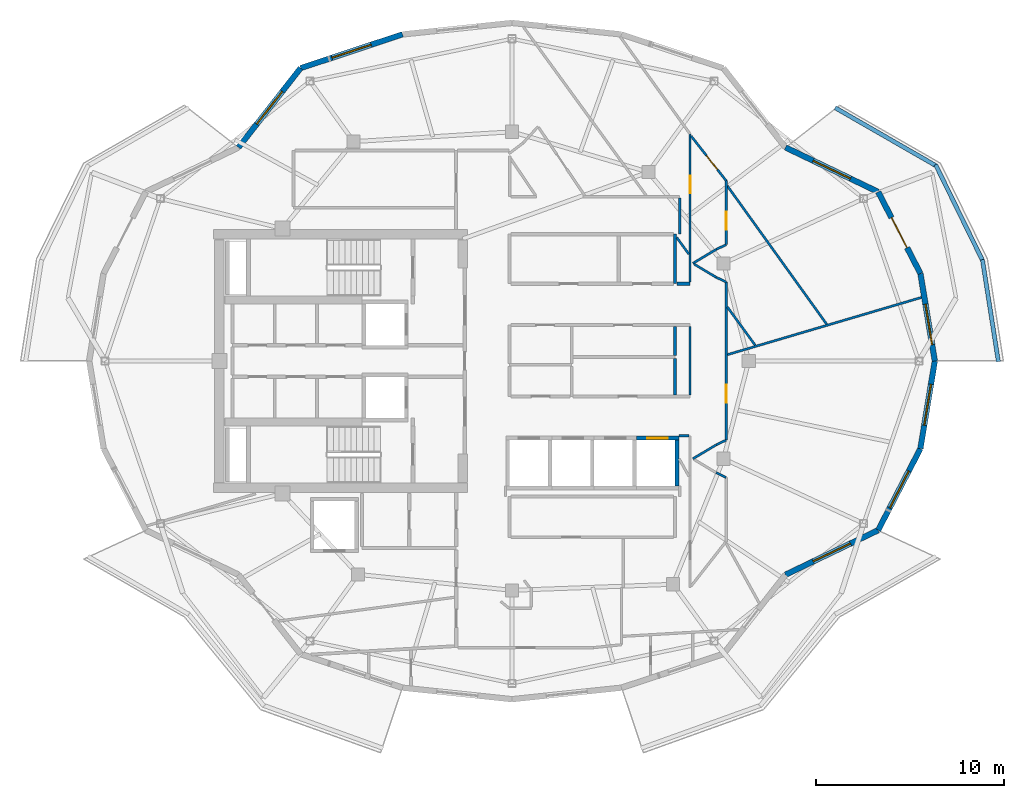
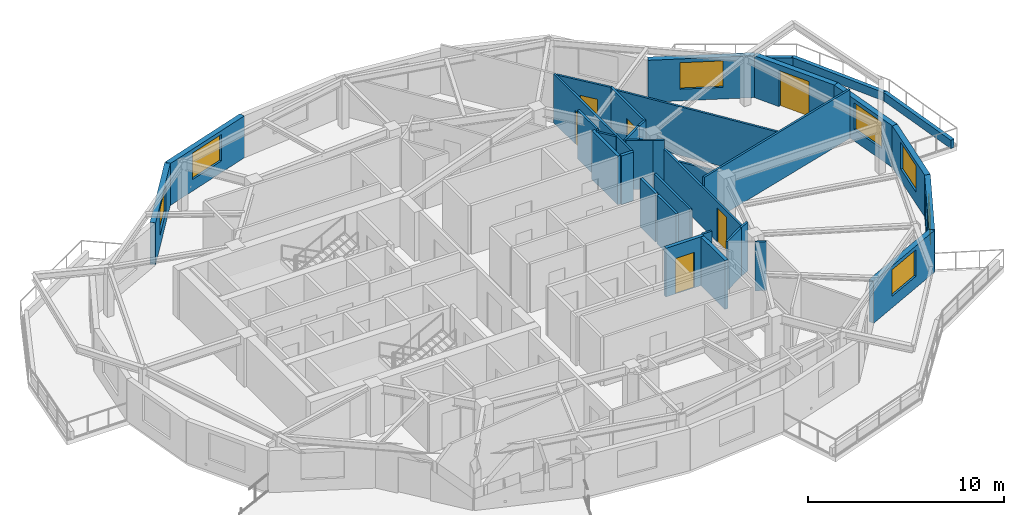
# One storey, part 7 of 11: 35 walls, 7 windows, 6 doors, 13 openings.
"""IFC4 building model written with IfcOpenShell, lengths in metres."""

from ifc_helpers import new_model, si_unit, direction, frame, frame_2d, origin, place, context, subcontext, project, spatial, rectangle, extrude, material, layer, layer_set, type_object, element, fill, save


model = new_model("IFC4")

# Units and contexts
model_context = context("Model", 3, precision=1e-05, world=origin(), true_north=direction((0.0, 1.0)))
body_context = subcontext(model_context, "Body", "Model", "MODEL_VIEW")
ifc_project = project(units=[si_unit("LENGTHUNIT", "METRE"), si_unit("AREAUNIT", "SQUARE_METRE"), si_unit("VOLUMEUNIT", "CUBIC_METRE"), si_unit("PLANEANGLEUNIT", "RADIAN"), si_unit("MASSUNIT", "GRAM", prefix="KILO")], contexts=[model_context])

# Site, building, storey
site_placement = place(None, origin())
site = spatial("IfcSite", under=ifc_project, at=site_placement, CompositionType="ELEMENT")
building_placement = place(site_placement, origin())
building = spatial("IfcBuilding", under=site, at=building_placement, Name="Kolvaren Gate Tower and Convention Centre", CompositionType="ELEMENT")
storey_placement = place(building_placement, frame((0.0, 0.0, 242.60009765625)))
storey = spatial("IfcBuildingStorey", under=building, at=storey_placement, Name="L65", CompositionType="ELEMENT", Elevation=242.60009765625)

# Walls
ifc_material_1 = material(Name="Autoclaved Aerated Masonry Blockwork Class 4 (4.0 MPa)", Category="masonry")
ifc_layer_1 = layer(ifc_material_1, 0.179931640625)
ifc_layer_set_1 = layer_set([ifc_layer_1], Name="Autoclaved Aerated Masonry Blockwork Class 4 (4.0 MPa)")
wall_type_1 = type_object("IfcWallType", Name="ARCH-WL-COMP-180", PredefinedType="SOLIDWALL", material=ifc_layer_set_1)
wall_1_placement = place(storey_placement, frame((38.800048828125, 31.1201171875, 0.0), z_axis=(0.0, 0.0, 1.0), x_axis=(0.0, 1.0, 0.0)))
element("IfcWall", 1, at=wall_1_placement, inside=storey, type_object=wall_type_1, Name="Interior Partition WL-L65-INT-027", PredefinedType="SOLIDWALL", context=body_context, shape_type="SweptSolid", body=[
    extrude(rectangle(XDim=2.6298828125, YDim=0.179931640625, at=frame_2d((1.31494140625, 0.0))), origin(), (0.0, 0.0, 1.0), 3.02978515625),
])
wall_2_placement = place(storey_placement, frame((38.89208984375, 31.1201171875, 0.0), z_axis=(0.0, 0.0, 1.0), x_axis=(1.0, 0.0, 0.0)))
element("IfcWall", 2, at=wall_2_placement, inside=storey, type_object=wall_type_1, Name="Interior Partition WL-L65-INT-028 (2)", PredefinedType="SOLIDWALL", context=body_context, shape_type="SweptSolid", body=[
    extrude(rectangle(XDim=0.7080078125, YDim=0.179931640625, at=frame_2d((0.35400390625, 0.0))), origin(), (0.0, 0.0, 1.0), 3.02978515625),
])
ifc_material_2 = material(Name="Fire-Rated Acoustic Gypsum Stud Partition", Category="gypsum")
ifc_layer_2 = layer(ifc_material_2, 0.1201171875)
ifc_layer_set_2 = layer_set([ifc_layer_2], Name="Fire-Rated Acoustic Gypsum Stud Partition")
wall_type_2 = type_object("IfcWallType", Name="ARCH-WL-PART-120", PredefinedType="PARTITIONING", material=ifc_layer_set_2)
wall_3_placement = place(storey_placement, frame((39.050048828125, 33.75, 0.0), z_axis=(0.0, 0.0, 1.0), x_axis=(0.0, 1.0, 0.0)))
element("IfcWall", 3, at=wall_3_placement, inside=storey, type_object=wall_type_2, Name="Interior Partition WL-L65-INT-042", PredefinedType="PARTITIONING", context=body_context, shape_type="SweptSolid", body=[
    extrude(rectangle(XDim=1.93798828125, YDim=0.1201171875, at=frame_2d((0.968994140625, 0.0))), origin(), (0.0, 0.0, 1.0), 3.02978515625),
])
wall_4_placement = place(storey_placement, frame((39.60009765625, 25.197021484375, 0.0), z_axis=(0.0, 0.0, 1.0), x_axis=(0.0, 1.0, 0.0)))
element("IfcWall", 4, at=wall_4_placement, inside=storey, type_object=wall_type_2, Name="Interior Partition WL-L65-INT-044", PredefinedType="PARTITIONING", context=body_context, shape_type="SweptSolid", body=[
    extrude(rectangle(XDim=3.64599609375, YDim=0.1201171875, at=frame_2d((1.822998046875, 0.0))), origin(), (0.0, 0.0, 1.0), 3.02978515625),
])

# Wall, opening, door
wall_5_placement = place(storey_placement, frame((39.60009765625, 31.2119140625, 0.0), z_axis=(0.0, 0.0, 1.0), x_axis=(0.0, 1.0, 0.0)))
wall_5 = element("IfcWall", 5, at=wall_5_placement, inside=storey, type_object=wall_type_2, Name="Interior Partition WL-L65-INT-045", PredefinedType="PARTITIONING", context=body_context, shape_type="SweptSolid", body=[
    extrude(rectangle(XDim=7.87109375, YDim=0.1201171875, at=frame_2d((3.935546875, 0.0))), origin(), (0.0, 0.0, 1.0), 3.02978515625),
])
opening_1_placement = place(wall_5_placement, frame((4.7060546875, 0.0, 0.0)))
opening_1 = element("IfcOpeningElement", 6, at=opening_1_placement, cuts=wall_5, Name="Opening DR-01", PredefinedType="OPENING", context=body_context, shape_type="SweptSolid", body=[
    extrude(rectangle(XDim=0.949951171875, YDim=2.10009765625, at=frame_2d((0.47509765625, 1.050048828125))), frame((0.0, 0.070068359375, 0.0), z_axis=(0.0, -1.0, 0.0), x_axis=(1.0, 0.0, 0.0)), (0.0, 0.0, 1.0), 0.14013671875),
])
ifc_material_3 = material(Name="Painted Architectural Steelwork ASTM A500 Grade C 345 MPa", Category="steel")
door_type_1 = type_object("IfcDoorType", Name="ARCH-DR-RISER-950", OperationType="SINGLE_SWING_RIGHT", PredefinedType="DOOR", material=ifc_material_3)
door_1_placement = place(opening_1_placement, origin())
door_1 = element("IfcDoor", 7, at=door_1_placement, inside=storey, type_object=door_type_1, Name="Resident Quiet Study Office Door", OperationType="SINGLE_SWING_RIGHT", OverallHeight=2.10009765625, OverallWidth=0.949951171875, PredefinedType="DOOR", context=body_context, shape_type="SweptSolid", body=[
    extrude(rectangle(XDim=0.949951171875, YDim=2.10009765625, at=frame_2d((0.47509765625, 1.050048828125))), frame((0.0, 0.02490234375, 0.0), z_axis=(0.0, -1.0, 0.0), x_axis=(1.0, 0.0, 0.0)), (0.0, 0.0, 1.0), 0.050048828125),
])
fill(opening_1, door_1)

wall_6_placement = place(storey_placement, frame((39.662109375, 38.96875, 0.0), z_axis=(0.0, 0.0, 1.0), x_axis=(0.616500468458, -0.787354540465, 0.0)))
wall_6 = element("IfcWall", 8, at=wall_6_placement, inside=storey, type_object=wall_type_2, Name="Interior Partition WL-L65-INT-046", PredefinedType="PARTITIONING", context=body_context, shape_type="SweptSolid", body=[
    extrude(rectangle(XDim=3.013671875, YDim=0.1201171875, at=frame_2d((1.5068359375, 0.0))), origin(), (0.0, 0.0, 1.0), 3.02978515625),
])
opening_2_placement = place(wall_6_placement, frame((1.311767578125, 0.0, 0.0)))
opening_2 = element("IfcOpeningElement", 9, at=opening_2_placement, cuts=wall_6, Name="Opening DR-01", PredefinedType="OPENING", context=body_context, shape_type="SweptSolid", body=[
    extrude(rectangle(XDim=0.949951171875, YDim=2.10009765625, at=frame_2d((0.47509765625, 1.050048828125))), frame((0.0, 0.070068359375, 0.0), z_axis=(0.0, -1.0, 0.0), x_axis=(1.0, 0.0, 0.0)), (0.0, 0.0, 1.0), 0.14013671875),
])
door_2_placement = place(opening_2_placement, origin())
door_2 = element("IfcDoor", 10, at=door_2_placement, inside=storey, type_object=door_type_1, Name="Resident Private Study Door", OperationType="SINGLE_SWING_LEFT", OverallHeight=2.10009765625, OverallWidth=0.949951171875, PredefinedType="DOOR", context=body_context, shape_type="SweptSolid", body=[
    extrude(rectangle(XDim=0.949951171875, YDim=2.10009765625, at=frame_2d((0.47509765625, 1.050048828125))), frame((0.0, 0.02490234375, 0.0), z_axis=(0.0, -1.0, 0.0), x_axis=(1.0, 0.0, 0.0)), (0.0, 0.0, 1.0), 0.050048828125),
])
fill(opening_2, door_2)

wall_7_placement = place(storey_placement, frame((41.52001953125, 22.7939453125, 0.0), z_axis=(0.0, 0.0, 1.0), x_axis=(0.0, 1.0, 0.0)))
wall_7 = element("IfcWall", 11, at=wall_7_placement, inside=storey, type_object=wall_type_2, Name="Interior Partition WL-L65-INT-048", PredefinedType="PARTITIONING", context=body_context, shape_type="SweptSolid", body=[
    extrude(rectangle(XDim=8.412109375, YDim=0.1201171875, at=frame_2d((4.2060546875, 0.0))), origin(), (0.0, 0.0, 1.0), 2.477783203125),
])
opening_3_placement = place(wall_7_placement, frame((1.99853515625, 0.0, 0.0)))
opening_3 = element("IfcOpeningElement", 12, at=opening_3_placement, cuts=wall_7, Name="Opening DR-01", PredefinedType="OPENING", context=body_context, shape_type="SweptSolid", body=[
    extrude(rectangle(XDim=0.949951171875, YDim=2.10009765625, at=frame_2d((0.47509765625, 1.050048828125))), frame((0.0, 0.070068359375, 0.0), z_axis=(0.0, -1.0, 0.0), x_axis=(1.0, 0.0, 0.0)), (0.0, 0.0, 1.0), 0.14013671875),
])
door_3_placement = place(opening_3_placement, origin())
door_3 = element("IfcDoor", 13, at=door_3_placement, inside=storey, type_object=door_type_1, Name="Resident Private Study and Home Office Door", OperationType="SINGLE_SWING_LEFT", OverallHeight=2.10009765625, OverallWidth=0.949951171875, PredefinedType="DOOR", context=body_context, shape_type="SweptSolid", body=[
    extrude(rectangle(XDim=0.949951171875, YDim=2.10009765625, at=frame_2d((0.47509765625, 1.050048828125))), frame((0.0, 0.02490234375, 0.0), z_axis=(0.0, -1.0, 0.0), x_axis=(1.0, 0.0, 0.0)), (0.0, 0.0, 1.0), 0.050048828125),
])
fill(opening_3, door_3)

wall_8_placement = place(storey_placement, frame((41.52001953125, 33.193115234375, 0.0), z_axis=(0.0, 0.0, 1.0), x_axis=(0.0, 1.0, 0.0)))
wall_8 = element("IfcWall", 14, at=wall_8_placement, inside=storey, type_object=wall_type_2, Name="Interior Partition WL-L65-INT-049", PredefinedType="PARTITIONING", context=body_context, shape_type="SweptSolid", body=[
    extrude(rectangle(XDim=3.40283203125, YDim=0.1201171875, at=frame_2d((1.701416015625, 0.0))), origin(), (0.0, 0.0, 1.0), 3.02978515625),
])
opening_4_placement = place(wall_8_placement, frame((0.806396484375, 0.0, 0.0)))
opening_4 = element("IfcOpeningElement", 15, at=opening_4_placement, cuts=wall_8, Name="Opening DR-01", PredefinedType="OPENING", context=body_context, shape_type="SweptSolid", body=[
    extrude(rectangle(XDim=0.949951171875, YDim=2.10009765625, at=frame_2d((0.47509765625, 1.050048828125))), frame((0.0, 0.070068359375, 0.0), z_axis=(0.0, -1.0, 0.0), x_axis=(1.0, 0.0, 0.0)), (0.0, 0.0, 1.0), 0.14013671875),
])
door_4_placement = place(opening_4_placement, origin())
door_4 = element("IfcDoor", 16, at=door_4_placement, inside=storey, type_object=door_type_1, Name="Resident Sommelier Tasting Pantry Door", OperationType="SINGLE_SWING_RIGHT", OverallHeight=2.10009765625, OverallWidth=0.949951171875, PredefinedType="DOOR", context=body_context, shape_type="SweptSolid", body=[
    extrude(rectangle(XDim=0.949951171875, YDim=2.10009765625, at=frame_2d((0.47509765625, 1.050048828125))), frame((0.0, 0.02490234375, 0.0), z_axis=(0.0, -1.0, 0.0), x_axis=(1.0, 0.0, 0.0)), (0.0, 0.0, 1.0), 0.050048828125),
])
fill(opening_4, door_4)

# Walls
wall_9_placement = place(storey_placement, frame((40.986083984375, 32.93994140625, 0.0), z_axis=(0.0, 0.0, 1.0), x_axis=(0.90356951601, 0.428441512621, 0.0)))
element("IfcWall", 17, at=wall_9_placement, inside=storey, type_object=wall_type_2, Name="Interior Partition WL-L65-INT-050", PredefinedType="PARTITIONING", context=body_context, shape_type="SweptSolid", body=[
    extrude(rectangle(XDim=0.5908203125, YDim=0.1201171875, at=frame_2d((0.29541015625, 0.0))), origin(), (0.0, 0.0, 1.0), 3.02978515625),
])
wall_10_placement = place(storey_placement, frame((39.75, 32.198974609375, 0.0), z_axis=(0.0, 0.0, 1.0), x_axis=(0.857702120906, 0.514146935996, 0.0)))
element("IfcWall", 18, at=wall_10_placement, inside=storey, type_object=wall_type_2, Name="Interior Partition WL-L65-INT-051", PredefinedType="PARTITIONING", context=body_context, shape_type="SweptSolid", body=[
    extrude(rectangle(XDim=1.441162109375, YDim=0.1201171875, at=frame_2d((0.720703125, 0.0))), origin(), (0.0, 0.0, 1.0), 3.02978515625),
])
wall_11_placement = place(storey_placement, frame((39.810302734375, 32.162841796875, 0.0), z_axis=(0.0, 0.0, 1.0), x_axis=(0.858011245414, -0.513630901273, 0.0)))
element("IfcWall", 19, at=wall_11_placement, inside=storey, type_object=wall_type_2, Name="Interior Partition WL-L65-INT-052", PredefinedType="PARTITIONING", context=body_context, shape_type="SweptSolid", body=[
    extrude(rectangle(XDim=1.370361328125, YDim=0.1201171875, at=frame_2d((0.68505859375, 0.0))), origin(), (0.0, 0.0, 1.0), 3.02978515625),
])
for number, where, z_axis, x_axis, name in (
    (20, (40.986083984375, 31.458984375, 0.0), (0.0, 0.0, 1.0), (0.903729424576, -0.428104107847, 0.0), "Interior Partition WL-L65-INT-053"),
    (21, (40.986083984375, 22.541015625, 0.0), (0.0, 0.0, 1.0), (0.903729424576, 0.428104107847, 0.0), "Interior Partition WL-L65-INT-054"),
):
    element("IfcWall", number, at=place(storey_placement, frame(where, z_axis=z_axis, x_axis=x_axis)), inside=storey, type_object=wall_type_2, Name=name, PredefinedType="PARTITIONING", context=body_context, shape_type="SweptSolid", body=[
        extrude(rectangle(XDim=0.5908203125, YDim=0.1201171875, at=frame_2d((0.29541015625, 0.0))), origin(), (0.0, 0.0, 1.0), 3.02978515625),
    ])
wall_12_placement = place(storey_placement, frame((39.75, 21.800048828125, 0.0), z_axis=(0.0, 0.0, 1.0), x_axis=(0.857702120906, 0.514146935996, 0.0)))
element("IfcWall", 22, at=wall_12_placement, inside=storey, type_object=wall_type_2, Name="Interior Partition WL-L65-INT-055", PredefinedType="PARTITIONING", context=body_context, shape_type="SweptSolid", body=[
    extrude(rectangle(XDim=1.441162109375, YDim=0.1201171875, at=frame_2d((0.720703125, 0.0))), origin(), (0.0, 0.0, 1.0), 3.02978515625),
])
wall_13_placement = place(storey_placement, frame((40.986083984375, 21.06005859375, 0.0), z_axis=(0.0, 0.0, 1.0), x_axis=(0.90356951601, -0.428441512621, 0.0)))
element("IfcWall", 23, at=wall_13_placement, inside=storey, type_object=wall_type_2, Name="Interior Partition WL-L65-INT-057", PredefinedType="PARTITIONING", context=body_context, shape_type="SweptSolid", body=[
    extrude(rectangle(XDim=0.5908203125, YDim=0.1201171875, at=frame_2d((0.29541015625, 0.0))), origin(), (0.0, 0.0, 1.0), 3.02978515625),
])
wall_14_placement = place(storey_placement, frame((39.0, 23.02001953125, 0.0), z_axis=(0.0, 0.0, 1.0), x_axis=(1.0, 0.0, 0.0)))
element("IfcWall", 24, at=wall_14_placement, inside=storey, type_object=wall_type_2, Name="Interior Partition WL-L65-INT-059", PredefinedType="PARTITIONING", context=body_context, shape_type="SweptSolid", body=[
    extrude(rectangle(XDim=0.5380859375, YDim=0.1201171875, at=frame_2d((0.26904296875, 0.0))), origin(), (0.0, 0.0, 1.0), 3.02978515625),
])
wall_15_placement = place(storey_placement, frame((41.58203125, 27.339111328125, 0.0), z_axis=(0.0, 0.0, 1.0), x_axis=(0.959173635638, 0.282817850741, 0.0)))
element("IfcWall", 25, at=wall_15_placement, inside=storey, type_object=wall_type_2, Name="Interior Partition WL-L65-INT-071", PredefinedType="PARTITIONING", context=body_context, shape_type="SweptSolid", body=[
    extrude(rectangle(XDim=10.771484375, YDim=0.1201171875, at=frame_2d((5.3857421875, 0.0))), origin(), (0.0, 0.0, 1.0), 3.02978515625),
])
wall_16_placement = place(storey_placement, frame((38.89208984375, 33.574951171875, 0.0), z_axis=(0.0, 0.0, 1.0), x_axis=(0.5886213307, -0.808408887287, 0.0)))
element("IfcWall", 26, at=wall_16_placement, inside=storey, type_object=wall_type_2, Name="Interior Partition WL-L65-INT-082", PredefinedType="PARTITIONING", context=body_context, shape_type="SweptSolid", body=[
    extrude(rectangle(XDim=1.097412109375, YDim=0.1201171875, at=frame_2d((0.548828125, 0.0))), origin(), (0.0, 0.0, 1.0), 3.02978515625),
])
wall_17_placement = place(storey_placement, frame((41.58203125, 29.880859375, 0.0), z_axis=(0.0, 0.0, 1.0), x_axis=(0.588620460465, -0.808409520925, 0.0)))
element("IfcWall", 27, at=wall_17_placement, inside=storey, type_object=wall_type_2, Name="Interior Partition WL-L65-INT-083", PredefinedType="PARTITIONING", context=body_context, shape_type="SweptSolid", body=[
    extrude(rectangle(XDim=2.522705078125, YDim=0.1201171875, at=frame_2d((1.26123046875, 0.0))), origin(), (0.0, 0.0, 1.0), 2.477783203125),
])
wall_18_placement = place(storey_placement, frame((41.58203125, 36.32373046875, 0.0), z_axis=(0.0, 0.0, 1.0), x_axis=(0.583386800507, -0.812194460086, 0.0)))
element("IfcWall", 28, at=wall_18_placement, inside=storey, type_object=wall_type_2, Name="Interior Partition WL-L65-INT-085", PredefinedType="PARTITIONING", context=body_context, shape_type="SweptSolid", body=[
    extrude(rectangle(XDim=9.063232421875, YDim=0.1201171875, at=frame_2d((4.53173828125, 0.0))), origin(), (0.0, 0.0, 1.0), 3.02978515625),
])
ifc_material_4 = material(Name="Piedmont Cream Honed Limestone Cladding", Category="masonry")
ifc_layer_3 = layer(ifc_material_4, 0.219970703125)
ifc_layer_set_3 = layer_set([ifc_layer_3], Name="Piedmont Cream Honed Limestone Cladding")
wall_type_3 = type_object("IfcWallType", Name="ARCH-WL-PLANTER-220", PredefinedType="PARAPET", material=ifc_layer_set_3)
wall_19_placement = place(storey_placement, frame((55.158447265625, 32.396484375, 0.0), z_axis=(0.0, 0.0, 1.0), x_axis=(0.154441975483, -0.988001860428, 0.0)))
element("IfcWall", 29, at=wall_19_placement, inside=storey, type_object=wall_type_3, Name="Vertical-Forest Balcony Stone Planter Kerb PK-L65-1.1", PredefinedType="PARAPET", context=body_context, shape_type="SweptSolid", body=[
    extrude(rectangle(XDim=5.49169921875, YDim=0.219970703125, at=frame_2d((2.745849609375, 0.0))), origin(), (0.0, 0.0, 1.0), 0.52001953125),
])
wall_20_placement = place(storey_placement, frame((52.66748046875, 37.446533203125, 0.0), z_axis=(0.0, 0.0, 1.0), x_axis=(0.440058847499, -0.897968936399, 0.0)))
element("IfcWall", 30, at=wall_20_placement, inside=storey, type_object=wall_type_3, Name="Vertical-Forest Balcony Stone Planter Kerb PK-L65-1.2", PredefinedType="PARAPET", context=body_context, shape_type="SweptSolid", body=[
    extrude(rectangle(XDim=5.689453125, YDim=0.219970703125, at=frame_2d((2.8447265625, 0.0))), origin(), (0.0, 0.0, 1.0), 0.52001953125),
])
wall_21_placement = place(storey_placement, frame((47.3212890625, 40.4794921875, 0.0), z_axis=(0.0, 0.0, 1.0), x_axis=(0.866901621005, -0.49847926687, 0.0)))
element("IfcWall", 31, at=wall_21_placement, inside=storey, type_object=wall_type_3, Name="Vertical-Forest Balcony Stone Planter Kerb PK-L65-1.3", PredefinedType="PARAPET", context=body_context, shape_type="SweptSolid", body=[
    extrude(rectangle(XDim=6.196533203125, YDim=0.219970703125, at=frame_2d((3.09814453125, 0.0))), origin(), (0.0, 0.0, 1.0), 0.52001953125),
])

# Wall, opening, door
ifc_layer_4 = layer(ifc_material_1, 0.199951171875)
ifc_layer_set_4 = layer_set([ifc_layer_4], Name="Autoclaved Aerated Masonry Blockwork Class 4 (4.0 MPa)")
wall_type_4 = type_object("IfcWallType", Name="ARCH-WL-SHAFT-200", PredefinedType="SOLIDWALL", material=ifc_layer_set_4)
wall_22_placement = place(storey_placement, frame((36.75, 22.89990234375, 0.0), z_axis=(0.0, 0.0, 1.0), x_axis=(1.0, 0.0, 0.0)))
wall_22 = element("IfcWall", 32, at=wall_22_placement, inside=storey, type_object=wall_type_4, Name="Elevator PL-12 L65 Fire Shaft Wall N", PredefinedType="SOLIDWALL", context=body_context, shape_type="SweptSolid", body=[
    extrude(rectangle(XDim=2.25, YDim=0.199951171875, at=frame_2d((1.125, 0.0))), origin(), (0.0, 0.0, 1.0), 3.02978515625),
])
opening_5_placement = place(wall_22_placement, frame((0.574951171875, 0.0, 0.0)))
opening_5 = element("IfcOpeningElement", 33, at=opening_5_placement, cuts=wall_22, Name="Opening LD", PredefinedType="OPENING", context=body_context, shape_type="SweptSolid", body=[
    extrude(rectangle(XDim=1.10009765625, YDim=2.199951171875, at=frame_2d((0.550048828125, 1.10009765625))), frame((0.0, 0.10986328125, 0.0), z_axis=(0.0, -1.0, 0.0), x_axis=(1.0, 0.0, 0.0)), (0.0, 0.0, 1.0), 0.219970703125),
])
ifc_material_5 = material(Name="Brushed Stainless Steel Grade 316L", Category="steel")
door_type_2 = type_object("IfcDoorType", Name="ARCH-DR-LIFT-1100", OperationType="SLIDING_TO_LEFT", PredefinedType="DOOR", material=ifc_material_5)
door_5_placement = place(opening_5_placement, origin())
door_5 = element("IfcDoor", 34, at=door_5_placement, inside=storey, type_object=door_type_2, Name="Elevator PL-12 L65 Sliding Landing Door", OperationType="SLIDING_TO_LEFT", OverallHeight=2.199951171875, OverallWidth=1.10009765625, PredefinedType="DOOR", context=body_context, shape_type="SweptSolid", body=[
    extrude(rectangle(XDim=1.10009765625, YDim=2.199951171875, at=frame_2d((0.550048828125, 1.10009765625))), frame((0.0, 0.02490234375, 0.0), z_axis=(0.0, -1.0, 0.0), x_axis=(1.0, 0.0, 0.0)), (0.0, 0.0, 1.0), 0.050048828125),
])
fill(opening_5, door_5)

# Wall
wall_23_placement = place(storey_placement, frame((38.89990234375, 20.360107421875, 0.0), z_axis=(0.0, 0.0, 1.0), x_axis=(0.0, 1.0, 0.0)))
element("IfcWall", 35, at=wall_23_placement, inside=storey, type_object=wall_type_4, Name="Elevator PL-12 L65 Fire Shaft Wall E", PredefinedType="SOLIDWALL", context=body_context, shape_type="SweptSolid", body=[
    extrude(rectangle(XDim=2.429931640625, YDim=0.199951171875, at=frame_2d((1.21484375, 0.0))), origin(), (0.0, 0.0, 1.0), 3.02978515625),
])

# Wall, opening, window
ifc_layer_5 = layer(ifc_material_4, 0.300048828125)
ifc_layer_set_5 = layer_set([ifc_layer_5], Name="Piedmont Cream Honed Limestone Cladding")
wall_type_5 = type_object("IfcWallType", Name="ARCH-WL-STONE-300", PredefinedType="SOLIDWALL", material=ifc_layer_set_5)
wall_24_placement = place(storey_placement, frame((51.8583984375, 31.65869140625, 0.0), z_axis=(0.0, 0.0, 1.0), x_axis=(0.162369371657, -0.986730047758, 0.0)))
wall_24 = element("IfcWall", 36, at=wall_24_placement, inside=storey, type_object=wall_type_5, Name="Tower L65 Honed Stone Spandrel Wall EW-00", PredefinedType="SOLIDWALL", context=body_context, shape_type="SweptSolid", body=[
    extrude(rectangle(XDim=4.721435546875, YDim=0.300048828125, at=frame_2d((2.36083984375, 0.0))), origin(), (0.0, 0.0, 1.0), 2.60498046875),
])
opening_6_placement = place(wall_24_placement, frame((1.64990234375, 0.0, 0.719970703125)))
opening_6 = element("IfcOpeningElement", 37, at=opening_6_placement, cuts=wall_24, Name="Opening W-03", PredefinedType="OPENING", context=body_context, shape_type="SweptSolid", body=[
    extrude(rectangle(XDim=2.199951171875, YDim=1.64990234375, at=frame_2d((1.10009765625, 0.824951171875))), frame((0.0, 0.159912109375, 0.0), z_axis=(0.0, -1.0, 0.0), x_axis=(1.0, 0.0, 0.0)), (0.0, 0.0, 1.0), 0.320068359375),
])
ifc_material_6 = material(Name="Low-E Triple Insulated Glazing Unit 44 mm", Category="glass")
window_type = type_object("IfcWindowType", Name="ARCH-WN-RES-2200", PartitioningType="SINGLE_PANEL", PredefinedType="WINDOW", material=ifc_material_6)
window_1_placement = place(opening_6_placement, origin())
window_1 = element("IfcWindow", 38, at=window_1_placement, inside=storey, type_object=window_type, Name="Tower L65 Punched Stone Facade Window W-00", OverallHeight=1.64990234375, OverallWidth=2.199951171875, PartitioningType="SINGLE_PANEL", PredefinedType="WINDOW", context=body_context, shape_type="SweptSolid", body=[
    extrude(rectangle(XDim=2.199951171875, YDim=1.64990234375, at=frame_2d((1.10009765625, 0.824951171875))), frame((0.0, 0.030029296875, 0.0), z_axis=(0.0, -1.0, 0.0), x_axis=(1.0, 0.0, 0.0)), (0.0, 0.0, 1.0), 0.06005859375),
])
fill(opening_6, window_1)

# Wall, opening, door
wall_25_placement = place(storey_placement, frame((49.610595703125, 36.0, 0.0), z_axis=(0.0, 0.0, 1.0), x_axis=(0.459793771602, -0.888025724625, 0.0)))
wall_25 = element("IfcWall", 39, at=wall_25_placement, inside=storey, type_object=wall_type_5, Name="Tower L65 Honed Stone Spandrel Wall EW-01", PredefinedType="SOLIDWALL", context=body_context, shape_type="SweptSolid", body=[
    extrude(rectangle(XDim=4.888671875, YDim=0.300048828125, at=frame_2d((2.4443359375, 0.0))), origin(), (0.0, 0.0, 1.0), 2.60498046875),
])
opening_7_placement = place(wall_25_placement, frame((1.5439453125, 0.0, 0.0)))
opening_7 = element("IfcOpeningElement", 40, at=opening_7_placement, cuts=wall_25, Name="Opening DB-01", PredefinedType="OPENING", context=body_context, shape_type="SweptSolid", body=[
    extrude(rectangle(XDim=1.800048828125, YDim=2.25, at=frame_2d((0.89990234375, 1.125))), frame((0.0, 0.159912109375, 0.0), z_axis=(0.0, -1.0, 0.0), x_axis=(1.0, 0.0, 0.0)), (0.0, 0.0, 1.0), 0.320068359375),
])
ifc_material_7 = material(Name="Anodized Architectural Aluminium Alloy 6063-T6", Category="aluminium")
door_type_3 = type_object("IfcDoorType", Name="ARCH-DR-BALC-1800", OperationType="SLIDING_TO_LEFT", PredefinedType="DOOR", material=ifc_material_7)
door_6_placement = place(opening_7_placement, origin())
door_6 = element("IfcDoor", 41, at=door_6_placement, inside=storey, type_object=door_type_3, Name="Planted Sky Terrace Access Door DB-L65-01", OperationType="SLIDING_TO_LEFT", OverallHeight=2.25, OverallWidth=1.800048828125, PredefinedType="DOOR", context=body_context, shape_type="SweptSolid", body=[
    extrude(rectangle(XDim=1.800048828125, YDim=2.25, at=frame_2d((0.89990234375, 1.125))), frame((0.0, 0.02490234375, 0.0), z_axis=(0.0, -1.0, 0.0), x_axis=(1.0, 0.0, 0.0)), (0.0, 0.0, 1.0), 0.050048828125),
])
fill(opening_7, door_6)

# Wall, opening, window
wall_26_placement = place(storey_placement, frame((44.67724609375, 38.370361328125, 0.0), z_axis=(0.0, 0.0, 1.0), x_axis=(0.901355238351, -0.433080517106, 0.0)))
wall_26 = element("IfcWall", 42, at=wall_26_placement, inside=storey, type_object=wall_type_5, Name="Tower L65 Honed Stone Spandrel Wall EW-02", PredefinedType="SOLIDWALL", context=body_context, shape_type="SweptSolid", body=[
    extrude(rectangle(XDim=5.47314453125, YDim=0.300048828125, at=frame_2d((2.736572265625, 0.0))), origin(), (0.0, 0.0, 1.0), 2.60498046875),
])
opening_8_placement = place(wall_26_placement, frame((1.636962890625, 0.0, 0.719970703125)))
opening_8 = element("IfcOpeningElement", 43, at=opening_8_placement, cuts=wall_26, Name="Opening W-03", PredefinedType="OPENING", context=body_context, shape_type="SweptSolid", body=[
    extrude(rectangle(XDim=2.199951171875, YDim=1.64990234375, at=frame_2d((1.10009765625, 0.824951171875))), frame((0.0, 0.159912109375, 0.0), z_axis=(0.0, -1.0, 0.0), x_axis=(1.0, 0.0, 0.0)), (0.0, 0.0, 1.0), 0.320068359375),
])
window_2_placement = place(opening_8_placement, origin())
window_2 = element("IfcWindow", 44, at=window_2_placement, inside=storey, type_object=window_type, Name="Tower L65 Punched Stone Facade Window W-02", OverallHeight=1.64990234375, OverallWidth=2.199951171875, PartitioningType="SINGLE_PANEL", PredefinedType="WINDOW", context=body_context, shape_type="SweptSolid", body=[
    extrude(rectangle(XDim=2.199951171875, YDim=1.64990234375, at=frame_2d((1.10009765625, 0.824951171875))), frame((0.0, 0.030029296875, 0.0), z_axis=(0.0, -1.0, 0.0), x_axis=(1.0, 0.0, 0.0)), (0.0, 0.0, 1.0), 0.06005859375),
])
fill(opening_8, window_2)

wall_27_placement = place(storey_placement, frame((18.875, 42.58837890625, 0.0), z_axis=(0.0, 0.0, 1.0), x_axis=(0.949232769585, 0.314574552605, 0.0)))
wall_27 = element("IfcWall", 45, at=wall_27_placement, inside=storey, type_object=wall_type_5, Name="Tower L65 Honed Stone Spandrel Wall EW-07", PredefinedType="SOLIDWALL", context=body_context, shape_type="SweptSolid", body=[
    extrude(rectangle(XDim=5.716796875, YDim=0.300048828125, at=frame_2d((2.8583984375, 0.0))), origin(), (0.0, 0.0, 1.0), 2.60498046875),
])
opening_9_placement = place(wall_27_placement, frame((1.758056640625, 0.0, 0.719970703125)))
opening_9 = element("IfcOpeningElement", 46, at=opening_9_placement, cuts=wall_27, Name="Opening W-03", PredefinedType="OPENING", context=body_context, shape_type="SweptSolid", body=[
    extrude(rectangle(XDim=2.199951171875, YDim=1.64990234375, at=frame_2d((1.10009765625, 0.824951171875))), frame((0.0, 0.159912109375, 0.0), z_axis=(0.0, -1.0, 0.0), x_axis=(1.0, 0.0, 0.0)), (0.0, 0.0, 1.0), 0.320068359375),
])
window_3_placement = place(opening_9_placement, origin())
window_3 = element("IfcWindow", 47, at=window_3_placement, inside=storey, type_object=window_type, Name="Tower L65 Punched Stone Facade Window W-07", OverallHeight=1.64990234375, OverallWidth=2.199951171875, PartitioningType="SINGLE_PANEL", PredefinedType="WINDOW", context=body_context, shape_type="SweptSolid", body=[
    extrude(rectangle(XDim=2.199951171875, YDim=1.64990234375, at=frame_2d((1.10009765625, 0.824951171875))), frame((0.0, 0.030029296875, 0.0), z_axis=(0.0, -1.0, 0.0), x_axis=(1.0, 0.0, 0.0)), (0.0, 0.0, 1.0), 0.06005859375),
])
fill(opening_9, window_3)

wall_28_placement = place(storey_placement, frame((15.57275390625, 38.370361328125, 0.0), z_axis=(0.0, 0.0, 1.0), x_axis=(0.61644588519, 0.787397276241, 0.0)))
wall_28 = element("IfcWall", 48, at=wall_28_placement, inside=storey, type_object=wall_type_5, Name="Tower L65 Honed Stone Spandrel Wall EW-08", PredefinedType="SOLIDWALL", context=body_context, shape_type="SweptSolid", body=[
    extrude(rectangle(XDim=5.35693359375, YDim=0.300048828125, at=frame_2d((2.678466796875, 0.0))), origin(), (0.0, 0.0, 1.0), 2.60498046875),
])
opening_10_placement = place(wall_28_placement, frame((1.5791015625, 0.0, 0.719970703125)))
opening_10 = element("IfcOpeningElement", 49, at=opening_10_placement, cuts=wall_28, Name="Opening W-03", PredefinedType="OPENING", context=body_context, shape_type="SweptSolid", body=[
    extrude(rectangle(XDim=2.199951171875, YDim=1.64990234375, at=frame_2d((1.10009765625, 0.824951171875))), frame((0.0, 0.159912109375, 0.0), z_axis=(0.0, -1.0, 0.0), x_axis=(1.0, 0.0, 0.0)), (0.0, 0.0, 1.0), 0.320068359375),
])
window_4_placement = place(opening_10_placement, origin())
window_4 = element("IfcWindow", 50, at=window_4_placement, inside=storey, type_object=window_type, Name="Tower L65 Punched Stone Facade Window W-08", OverallHeight=1.64990234375, OverallWidth=2.199951171875, PartitioningType="SINGLE_PANEL", PredefinedType="WINDOW", context=body_context, shape_type="SweptSolid", body=[
    extrude(rectangle(XDim=2.199951171875, YDim=1.64990234375, at=frame_2d((1.10009765625, 0.824951171875))), frame((0.0, 0.030029296875, 0.0), z_axis=(0.0, -1.0, 0.0), x_axis=(1.0, 0.0, 0.0)), (0.0, 0.0, 1.0), 0.06005859375),
])
fill(opening_10, window_4)

wall_29_placement = place(storey_placement, frame((44.67724609375, 15.629638671875, 0.0), z_axis=(0.0, 0.0, 1.0), x_axis=(0.901355238351, 0.433080517106, 0.0)))
wall_29 = element("IfcWall", 51, at=wall_29_placement, inside=storey, type_object=wall_type_5, Name="Tower L65 Honed Stone Spandrel Wall EW-21", PredefinedType="SOLIDWALL", context=body_context, shape_type="SweptSolid", body=[
    extrude(rectangle(XDim=5.47314453125, YDim=0.300048828125, at=frame_2d((2.736572265625, 0.0))), origin(), (0.0, 0.0, 1.0), 2.60498046875),
])
opening_11_placement = place(wall_29_placement, frame((1.636962890625, 0.0, 0.719970703125)))
opening_11 = element("IfcOpeningElement", 52, at=opening_11_placement, cuts=wall_29, Name="Opening W-03", PredefinedType="OPENING", context=body_context, shape_type="SweptSolid", body=[
    extrude(rectangle(XDim=2.199951171875, YDim=1.64990234375, at=frame_2d((1.10009765625, 0.824951171875))), frame((0.0, 0.159912109375, 0.0), z_axis=(0.0, -1.0, 0.0), x_axis=(1.0, 0.0, 0.0)), (0.0, 0.0, 1.0), 0.320068359375),
])
window_5_placement = place(opening_11_placement, origin())
window_5 = element("IfcWindow", 53, at=window_5_placement, inside=storey, type_object=window_type, Name="Tower L65 Punched Stone Facade Window W-21", OverallHeight=1.64990234375, OverallWidth=2.199951171875, PartitioningType="SINGLE_PANEL", PredefinedType="WINDOW", context=body_context, shape_type="SweptSolid", body=[
    extrude(rectangle(XDim=2.199951171875, YDim=1.64990234375, at=frame_2d((1.10009765625, 0.824951171875))), frame((0.0, 0.030029296875, 0.0), z_axis=(0.0, -1.0, 0.0), x_axis=(1.0, 0.0, 0.0)), (0.0, 0.0, 1.0), 0.06005859375),
])
fill(opening_11, window_5)

wall_30_placement = place(storey_placement, frame((49.610595703125, 18.0, 0.0), z_axis=(0.0, 0.0, 1.0), x_axis=(0.459793771602, 0.888025724625, 0.0)))
wall_30 = element("IfcWall", 54, at=wall_30_placement, inside=storey, type_object=wall_type_5, Name="Tower L65 Honed Stone Spandrel Wall EW-22", PredefinedType="SOLIDWALL", context=body_context, shape_type="SweptSolid", body=[
    extrude(rectangle(XDim=4.888671875, YDim=0.300048828125, at=frame_2d((2.4443359375, 0.0))), origin(), (0.0, 0.0, 1.0), 2.60498046875),
])
opening_12_placement = place(wall_30_placement, frame((1.343994140625, 0.0, 0.719970703125)))
opening_12 = element("IfcOpeningElement", 55, at=opening_12_placement, cuts=wall_30, Name="Opening W-03", PredefinedType="OPENING", context=body_context, shape_type="SweptSolid", body=[
    extrude(rectangle(XDim=2.199951171875, YDim=1.64990234375, at=frame_2d((1.10009765625, 0.824951171875))), frame((0.0, 0.159912109375, 0.0), z_axis=(0.0, -1.0, 0.0), x_axis=(1.0, 0.0, 0.0)), (0.0, 0.0, 1.0), 0.320068359375),
])
window_6_placement = place(opening_12_placement, origin())
window_6 = element("IfcWindow", 56, at=window_6_placement, inside=storey, type_object=window_type, Name="Tower L65 Punched Stone Facade Window W-22", OverallHeight=1.64990234375, OverallWidth=2.199951171875, PartitioningType="SINGLE_PANEL", PredefinedType="WINDOW", context=body_context, shape_type="SweptSolid", body=[
    extrude(rectangle(XDim=2.199951171875, YDim=1.64990234375, at=frame_2d((1.10009765625, 0.824951171875))), frame((0.0, 0.030029296875, 0.0), z_axis=(0.0, -1.0, 0.0), x_axis=(1.0, 0.0, 0.0)), (0.0, 0.0, 1.0), 0.06005859375),
])
fill(opening_12, window_6)

wall_31_placement = place(storey_placement, frame((51.8583984375, 22.34130859375, 0.0), z_axis=(0.0, 0.0, 1.0), x_axis=(0.162369371657, 0.986730047758, 0.0)))
wall_31 = element("IfcWall", 57, at=wall_31_placement, inside=storey, type_object=wall_type_5, Name="Tower L65 Honed Stone Spandrel Wall EW-23", PredefinedType="SOLIDWALL", context=body_context, shape_type="SweptSolid", body=[
    extrude(rectangle(XDim=4.721435546875, YDim=0.300048828125, at=frame_2d((2.36083984375, 0.0))), origin(), (0.0, 0.0, 1.0), 2.60498046875),
])
opening_13_placement = place(wall_31_placement, frame((1.260986328125, 0.0, 0.719970703125)))
opening_13 = element("IfcOpeningElement", 58, at=opening_13_placement, cuts=wall_31, Name="Opening W-03", PredefinedType="OPENING", context=body_context, shape_type="SweptSolid", body=[
    extrude(rectangle(XDim=2.199951171875, YDim=1.64990234375, at=frame_2d((1.10009765625, 0.824951171875))), frame((0.0, 0.159912109375, 0.0), z_axis=(0.0, -1.0, 0.0), x_axis=(1.0, 0.0, 0.0)), (0.0, 0.0, 1.0), 0.320068359375),
])
window_7_placement = place(opening_13_placement, origin())
window_7 = element("IfcWindow", 59, at=window_7_placement, inside=storey, type_object=window_type, Name="Tower L65 Punched Stone Facade Window W-23", OverallHeight=1.64990234375, OverallWidth=2.199951171875, PartitioningType="SINGLE_PANEL", PredefinedType="WINDOW", context=body_context, shape_type="SweptSolid", body=[
    extrude(rectangle(XDim=2.199951171875, YDim=1.64990234375, at=frame_2d((1.10009765625, 0.824951171875))), frame((0.0, 0.030029296875, 0.0), z_axis=(0.0, -1.0, 0.0), x_axis=(1.0, 0.0, 0.0)), (0.0, 0.0, 1.0), 0.06005859375),
])
fill(opening_13, window_7)

# Walls
ifc_material_8 = material(Name="Moisture-Resistant Cement-Board Acoustic Partition", Category="gypsum")
ifc_layer_6 = layer(ifc_material_8, 0.14990234375)
ifc_layer_set_6 = layer_set([ifc_layer_6], Name="Moisture-Resistant Cement-Board Acoustic Partition")
wall_type_6 = type_object("IfcWallType", Name="ARCH-WL-WET-150", PredefinedType="PARTITIONING", material=ifc_layer_set_6)
wall_32_placement = place(storey_placement, frame((38.800048828125, 25.197021484375, 0.0), z_axis=(0.0, 0.0, 1.0), x_axis=(0.0, 1.0, 0.0)))
element("IfcWall", 60, at=wall_32_placement, inside=storey, type_object=wall_type_6, Name="Interior Partition WL-L65-INT-026", PredefinedType="PARTITIONING", context=body_context, shape_type="SweptSolid", body=[
    extrude(rectangle(XDim=1.946044921875, YDim=0.14990234375, at=frame_2d((0.97314453125, 0.0))), origin(), (0.0, 0.0, 1.0), 3.02978515625),
])
wall_33_placement = place(storey_placement, frame((38.800048828125, 27.297119140625, 0.0), z_axis=(0.0, 0.0, 1.0), x_axis=(0.0, 1.0, 0.0)))
element("IfcWall", 61, at=wall_33_placement, inside=storey, type_object=wall_type_6, Name="Interior Partition WL-L65-INT-026 (2)", PredefinedType="PARTITIONING", context=body_context, shape_type="SweptSolid", body=[
    extrude(rectangle(XDim=1.5458984375, YDim=0.14990234375, at=frame_2d((0.77294921875, 0.0))), origin(), (0.0, 0.0, 1.0), 3.02978515625),
])

save(model, "model.ifc")
